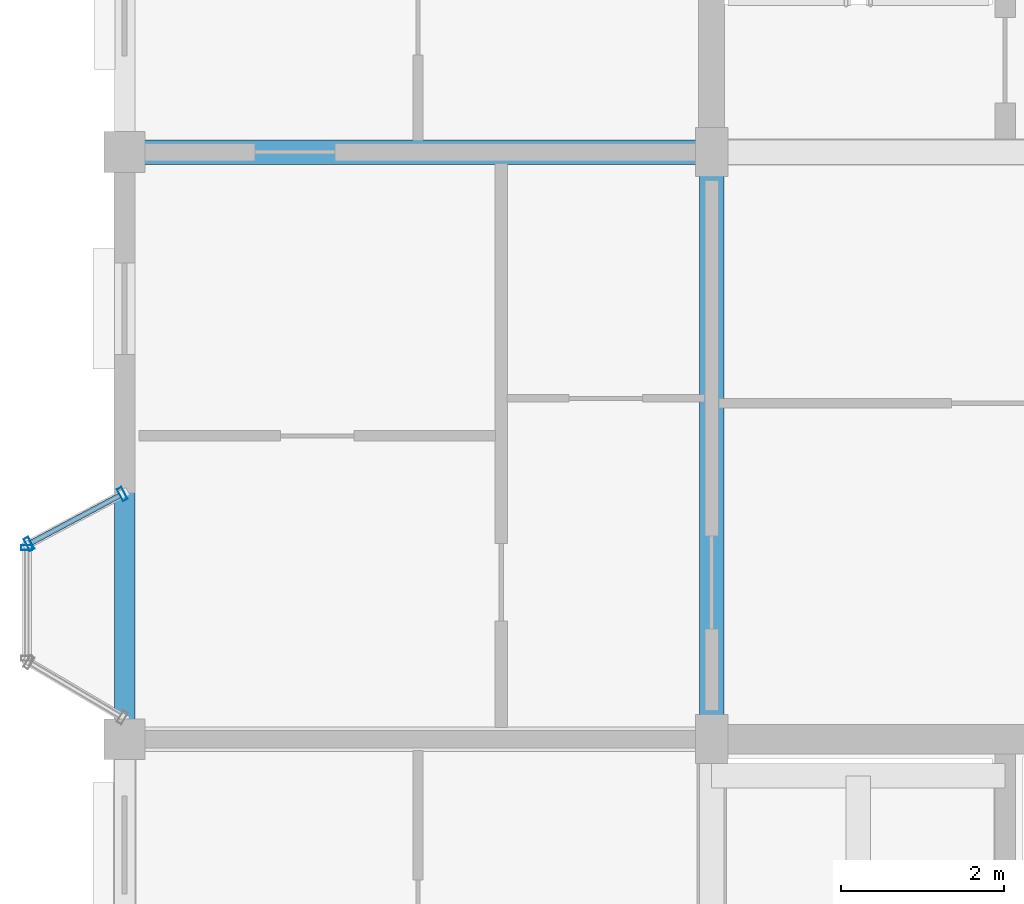
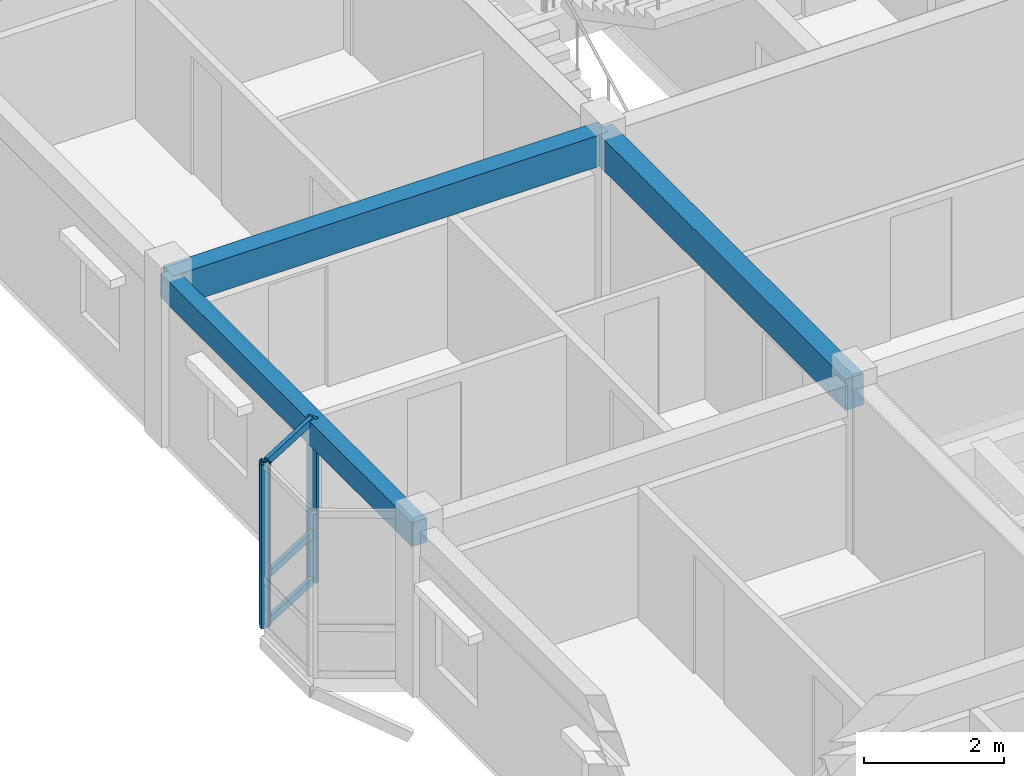
# One storey, part 7 of 38: 6 members, 3 beams, 2 elements without a shape of their own.
"""IFC4 building model written with IfcOpenShell, lengths in metres."""

from ifc_helpers import new_model, si_unit, direction, frame, origin, origin_2d, place, context, subcontext, project, spatial, rectangle, hollow_rectangle, extrude, material, layer, layer_set, material_profile, profile_set, type_object, element, aggregate, save


model = new_model("IFC4")

# Units and contexts
model_context = context("Model", 3, precision=1e-05, world=origin(), true_north=direction((0.0, 1.0)))
body_context = subcontext(model_context, "Body", "Model", "MODEL_VIEW")
ifc_project = project(units=[si_unit("LENGTHUNIT", "METRE"), si_unit("AREAUNIT", "SQUARE_METRE"), si_unit("VOLUMEUNIT", "CUBIC_METRE"), si_unit("PLANEANGLEUNIT", "RADIAN"), si_unit("MASSUNIT", "GRAM", prefix="KILO"), si_unit("THERMODYNAMICTEMPERATUREUNIT", "KELVIN"), si_unit("POWERUNIT", "WATT")], contexts=[model_context])

# Site, building, storey
site_placement = place(None, origin())
site = spatial("IfcSite", under=ifc_project, at=site_placement, CompositionType="ELEMENT")
building_placement = place(site_placement, origin())
building = spatial("IfcBuilding", under=site, at=building_placement, Name="Tavuni Mirador Residences", CompositionType="ELEMENT")
storey_placement = place(building_placement, frame((0.0, 0.0, 32.85009765625)))
storey = spatial("IfcBuildingStorey", under=building, at=storey_placement, Name="L10", CompositionType="ELEMENT", Elevation=32.85009765625)

# Beams
ifc_material_1 = material(Name="Precast concrete C40/50", Category="concrete")
ifc_material_profile_1 = material_profile(ifc_material_1, rectangle(XDim=0.300048828125, YDim=0.550048828125, at=origin_2d()), Name="PC 300x550", Category="concrete")
ifc_profile_set_1 = profile_set([ifc_material_profile_1], Name="Precast concrete C40/50")
beam_type_1 = type_object("IfcBeamType", Name="BT-B550", PredefinedType="BEAM", material=ifc_profile_set_1)
for number, where, z_axis, x_axis, name in (
    (1, (3.60009765625, 28.800048828125, 2.594970703125), (1.0, 0.0, 0.0), (0.0, 1.0, 0.0), "BMX-BLK-A-L10-00-03"),
    (2, (10.800048828125, 21.60009765625, 2.594970703125), (0.0, 1.0, 0.0), (-1.0, 0.0, 0.0), "BMY-BLK-A-L10-01-02"),
):
    element("IfcBeam", number, at=place(storey_placement, frame(where, z_axis=z_axis, x_axis=x_axis)), inside=storey, type_object=beam_type_1, Name=name, PredefinedType="BEAM", context=body_context, shape_type="SweptSolid", body=[
        extrude(rectangle(XDim=0.300048828125, YDim=0.550048828125, at=origin_2d()), origin(), (0.0, 0.0, 1.0), 7.199951171875),
    ])
ifc_material_profile_2 = material_profile(ifc_material_1, rectangle(XDim=0.25, YDim=0.419921875, at=origin_2d()), Name="PC 250x420", Category="concrete")
ifc_profile_set_2 = profile_set([ifc_material_profile_2], Name="Precast concrete C40/50")
beam_type_2 = type_object("IfcBeamType", Name="BT-SP420", PredefinedType="SPANDREL", material=ifc_profile_set_2)
beam_placement = place(storey_placement, frame((3.60009765625, 21.60009765625, 2.659912109375), z_axis=(0.0, 1.0, 0.0), x_axis=(-1.0, 0.0, 0.0)))
element("IfcBeam", 3, at=beam_placement, inside=storey, type_object=beam_type_2, Name="BMY-BLK-A-L10-00-02", PredefinedType="SPANDREL", context=body_context, shape_type="SweptSolid", body=[
    extrude(rectangle(XDim=0.25, YDim=0.419921875, at=origin_2d()), origin(), (0.0, 0.0, 1.0), 7.199951171875),
])

# Curtain wall, member
ifc_material_2 = material(Name="Anodised aluminium", Category="aluminium")
ifc_layer_1 = layer(ifc_material_2, 0.175048828125, Name="Anodised aluminium", Category="aluminium")
ifc_layer_set_1 = layer_set([ifc_layer_1], Name="Anodised aluminium")
curtain_wall_type_1 = type_object("IfcCurtainWallType", Name="CWT-MIR-C", PredefinedType="NOTDEFINED", material=ifc_layer_set_1)
curtain_wall_1_placement = place(storey_placement, origin())
curtain_wall_1 = element("IfcCurtainWall", 4, at=curtain_wall_1_placement, inside=storey, type_object=curtain_wall_type_1, Name="CW-MIR-A-W2-L10-MF", PredefinedType="NOTDEFINED")
ifc_material_profile_3 = material_profile(ifc_material_2, hollow_rectangle(XDim=0.06005859375, YDim=0.139892578125, WallThickness=0.00390625, at=origin_2d()), Name="ALU 60x140x4.0", Category="aluminium")
ifc_profile_set_3 = profile_set([ifc_material_profile_3], Name="Anodised aluminium")
member_type_1 = type_object("IfcMemberType", Name="CWM-140", PredefinedType="MULLION", material=ifc_profile_set_3)
member_1_placement = place(storey_placement, frame((2.39990234375, 23.949951171875, 0.0), z_axis=(0.0, 0.0, 1.0), x_axis=(0.0, -1.0, 0.0)))
member_1 = element("IfcMember", 5, at=member_1_placement, type_object=member_type_1, Name="CW-03 mullion 1", PredefinedType="MULLION", context=body_context, shape_type="SweptSolid", body=[
    extrude(hollow_rectangle(XDim=0.06005859375, YDim=0.139892578125, WallThickness=0.00390625, at=origin_2d()), origin(), (0.0, 0.0, 1.0), 2.869873046875),
])
aggregate(curtain_wall_1, [member_1])

# Curtain wall, members
ifc_layer_2 = layer(ifc_material_2, 0.14990234375, Name="Anodised aluminium", Category="aluminium")
ifc_layer_set_2 = layer_set([ifc_layer_2], Name="Anodised aluminium")
curtain_wall_type_2 = type_object("IfcCurtainWallType", Name="CWT-MIR-B", PredefinedType="NOTDEFINED", material=ifc_layer_set_2)
curtain_wall_2_placement = place(storey_placement, origin())
curtain_wall_2 = element("IfcCurtainWall", 6, at=curtain_wall_2_placement, inside=storey, type_object=curtain_wall_type_2, Name="CW-MIR-A-W2-L10-M1", PredefinedType="NOTDEFINED")
ifc_material_profile_4 = material_profile(ifc_material_2, hollow_rectangle(XDim=0.06494140625, YDim=0.1650390625, WallThickness=0.00439453125, at=origin_2d()), Name="ALU 65x165x4.5", Category="aluminium")
ifc_profile_set_4 = profile_set([ifc_material_profile_4], Name="Anodised aluminium")
member_type_2 = type_object("IfcMemberType", Name="CWM-165", PredefinedType="MULLION", material=ifc_profile_set_4)
member_2_placement = place(storey_placement, frame((3.5712890625, 24.604736328125, 0.0), z_axis=(0.0, 0.0, 1.0), x_axis=(-0.882352941175, -0.470588235296, 0.0)))
member_2 = element("IfcMember", 7, at=member_2_placement, type_object=member_type_2, Name="CW-02 mullion 1", PredefinedType="MULLION", context=body_context, shape_type="SweptSolid", body=[
    extrude(hollow_rectangle(XDim=0.06494140625, YDim=0.1650390625, WallThickness=0.00439453125, at=origin_2d()), origin(), (0.0, 0.0, 1.0), 2.869873046875),
])
member_3_placement = place(storey_placement, frame((2.4287109375, 23.995361328125, 0.0), z_axis=(0.0, 0.0, 1.0), x_axis=(-0.882352941175, -0.470588235296, 0.0)))
member_3 = element("IfcMember", 8, at=member_3_placement, type_object=member_type_2, Name="CW-02 mullion 2", PredefinedType="MULLION", context=body_context, shape_type="SweptSolid", body=[
    extrude(hollow_rectangle(XDim=0.06494140625, YDim=0.1650390625, WallThickness=0.00439453125, at=origin_2d()), origin(), (0.0, 0.0, 1.0), 2.869873046875),
])
ifc_material_profile_5 = material_profile(ifc_material_2, hollow_rectangle(XDim=0.06494140625, YDim=0.125, WallThickness=0.00439453125, at=origin_2d()), Name="ALU 65x125x4.5", Category="aluminium")
ifc_profile_set_5 = profile_set([ifc_material_profile_5], Name="Anodised aluminium")
member_type_3 = type_object("IfcMemberType", Name="CWT-125", PredefinedType="USERDEFINED", material=ifc_profile_set_5)
member_4_placement = place(storey_placement, frame((3.542724609375, 24.58935546875, 0.032470703125), z_axis=(-0.882369422046, -0.47055733236, 0.0), x_axis=(0.47055733236, -0.882369422046, 0.0)))
member_4 = element("IfcMember", 9, at=member_4_placement, type_object=member_type_3, Name="CW-02 transom 1.1", ObjectType="TRANSOM", PredefinedType="USERDEFINED", context=body_context, shape_type="SweptSolid", body=[
    extrude(hollow_rectangle(XDim=0.06494140625, YDim=0.125, WallThickness=0.00439453125, at=origin_2d()), origin(), (0.0, 0.0, 1.0), 1.230224609375),
])
member_5_placement = place(storey_placement, frame((3.542724609375, 24.58935546875, 0.849853515625), z_axis=(-0.882369422046, -0.47055733236, 0.0), x_axis=(0.47055733236, -0.882369422046, 0.0)))
member_5 = element("IfcMember", 10, at=member_5_placement, type_object=member_type_3, Name="CW-02 transom 1.2", ObjectType="TRANSOM", PredefinedType="USERDEFINED", context=body_context, shape_type="SweptSolid", body=[
    extrude(hollow_rectangle(XDim=0.06494140625, YDim=0.125, WallThickness=0.00439453125, at=origin_2d()), origin(), (0.0, 0.0, 1.0), 1.230224609375),
])
member_6_placement = place(storey_placement, frame((3.542724609375, 24.58935546875, 2.83740234375), z_axis=(-0.882369422046, -0.47055733236, 0.0), x_axis=(0.47055733236, -0.882369422046, 0.0)))
member_6 = element("IfcMember", 11, at=member_6_placement, type_object=member_type_3, Name="CW-02 transom 1.3", ObjectType="TRANSOM", PredefinedType="USERDEFINED", context=body_context, shape_type="SweptSolid", body=[
    extrude(hollow_rectangle(XDim=0.06494140625, YDim=0.125, WallThickness=0.00439453125, at=origin_2d()), origin(), (0.0, 0.0, 1.0), 1.230224609375),
])
aggregate(curtain_wall_2, [member_2, member_3, member_4, member_5, member_6])

save(model, "model.ifc")
